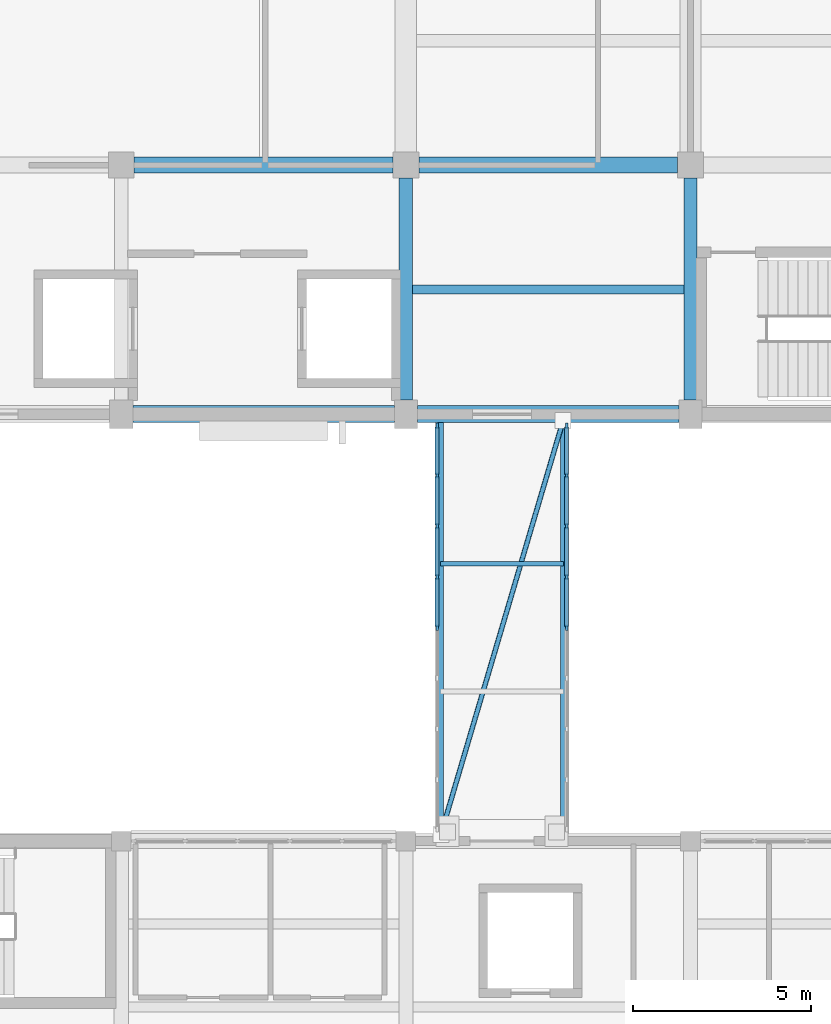
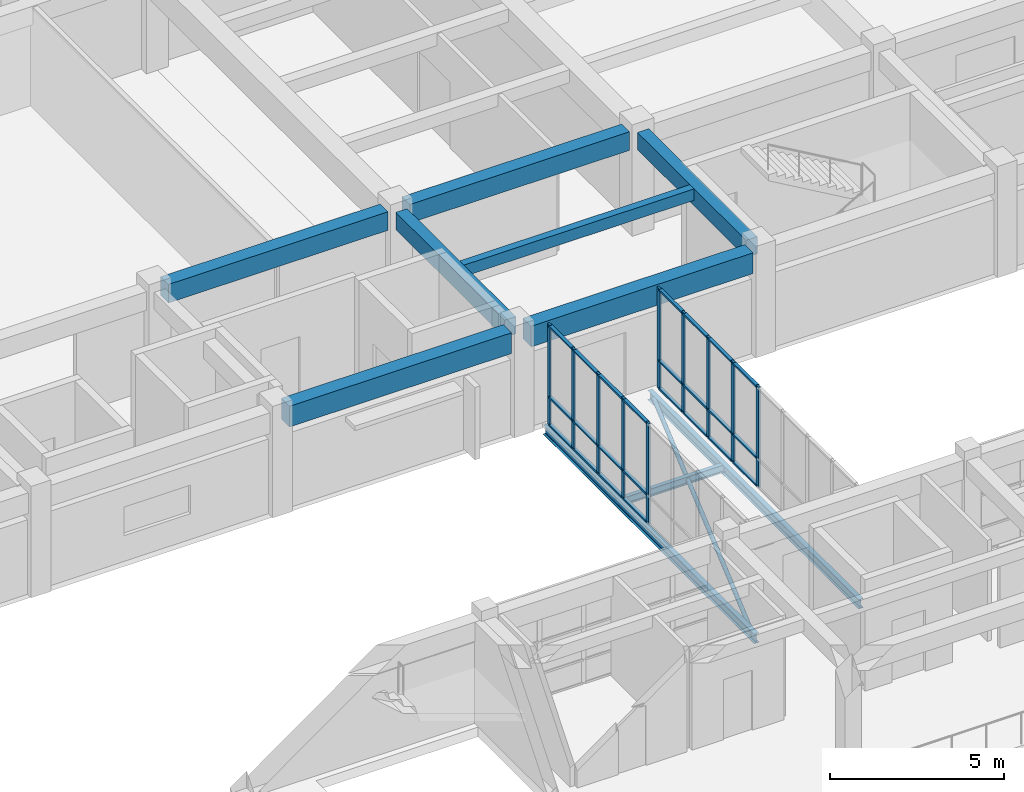
# One storey, part 24 of 66: 35 members, 10 beams, 2 elements without a shape of their own.
"""IFC4 building model written with IfcOpenShell, lengths in metres."""

from ifc_helpers import new_model, si_unit, direction, frame, origin, origin_2d, place, context, subcontext, project, spatial, rectangle, hollow_circle, i_section, extrude, material, layer, layer_set, material_profile, profile_set, type_object, element, aggregate, save


model = new_model("IFC4")

# Units and contexts
model_context = context("Model", 3, precision=1e-05, world=origin(), true_north=direction((0.0, 1.0)))
body_context = subcontext(model_context, "Body", "Model", "MODEL_VIEW")
ifc_project = project(units=[si_unit("LENGTHUNIT", "METRE"), si_unit("AREAUNIT", "SQUARE_METRE"), si_unit("VOLUMEUNIT", "CUBIC_METRE"), si_unit("PLANEANGLEUNIT", "RADIAN"), si_unit("MASSUNIT", "GRAM", prefix="KILO")], contexts=[model_context])

# Site, building, storey
site_placement = place(None, origin())
site = spatial("IfcSite", under=ifc_project, at=site_placement, CompositionType="ELEMENT")
building_placement = place(site_placement, origin())
building = spatial("IfcBuilding", under=site, at=building_placement, Name="Naurynzar Civic Courthouse", CompositionType="ELEMENT")
storey_placement = place(building_placement, frame((0.0, 0.0, 14.39990234375)))
storey = spatial("IfcBuildingStorey", under=building, at=storey_placement, Name="L04", CompositionType="ELEMENT", Elevation=14.39990234375)

# Beams
ifc_material_1 = material(Name="Concrete C40/50", Category="concrete")
ifc_material_profile_1 = material_profile(ifc_material_1, rectangle(XDim=0.25, YDim=0.39990234375, at=origin_2d()), Name="RCB 250x400")
ifc_profile_set_1 = profile_set([ifc_material_profile_1], Name="Concrete C40/50")
beam_type_1 = type_object("IfcBeamType", Name="BM-JST-250x400", PredefinedType="JOIST", material=ifc_profile_set_1)
beam_1_placement = place(storey_placement, frame((93.1875, 47.5, 3.380126953125), z_axis=(1.0, 0.0, 0.0), x_axis=(0.0, 1.0, 0.0)))
element("IfcBeam", 1, at=beam_1_placement, inside=storey, type_object=beam_type_1, Name="V2 secondary rib 714 L04", PredefinedType="JOIST", context=body_context, shape_type="SweptSolid", body=[
    extrude(rectangle(XDim=0.25, YDim=0.39990234375, at=origin_2d()), origin(), (0.0, 0.0, 1.0), 7.625),
])
ifc_material_2 = material(Name="Concrete C40/50", Category="concrete")
ifc_material_profile_2 = material_profile(ifc_material_2, rectangle(XDim=0.375, YDim=0.60009765625, at=origin_2d()), Name="RCB 375x600")
ifc_profile_set_2 = profile_set([ifc_material_profile_2], Name="Concrete C40/50")
beam_type_2 = type_object("IfcBeamType", Name="BM-RC-375x600", PredefinedType="BEAM", material=ifc_profile_set_2)
for number, where, z_axis, x_axis, name in (
    (2, (93.0, 44.39990234375, 3.280029296875), (0.0, 1.0, 0.0), (-1.0, 0.0, 0.0), "V2 girder Y-698 L04"),
    (3, (101.0, 44.39990234375, 3.280029296875), (0.0, 1.0, 0.0), (-1.0, 0.0, 0.0), "V2 girder Y-701 L04"),
):
    element("IfcBeam", number, at=place(storey_placement, frame(where, z_axis=z_axis, x_axis=x_axis)), inside=storey, type_object=beam_type_2, Name=name, PredefinedType="BEAM", context=body_context, shape_type="SweptSolid", body=[
        extrude(rectangle(XDim=0.375, YDim=0.60009765625, at=origin_2d()), origin(), (0.0, 0.0, 1.0), 6.237548828125),
    ])
ifc_material_3 = material(Name="Concrete C40/50", Category="concrete")
ifc_material_profile_3 = material_profile(ifc_material_3, rectangle(XDim=0.449951171875, YDim=0.64990234375, at=origin_2d()), Name="RCB 450x650")
ifc_profile_set_3 = profile_set([ifc_material_profile_3], Name="Concrete C40/50")
beam_type_3 = type_object("IfcBeamType", Name="BM-RC-450x650", PredefinedType="BEAM", material=ifc_profile_set_3)
for number, where, z_axis, x_axis, name in (
    (4, (85.362548828125, 51.0, 3.255126953125), (1.0, 0.0, 0.0), (0.0, 1.0, 0.0), "V2 beam X-666 L04"),
    (5, (93.362548828125, 51.0, 3.255126953125), (1.0, 0.0, 0.0), (0.0, 1.0, 0.0), "V2 beam X-667 L04"),
):
    element("IfcBeam", number, at=place(storey_placement, frame(where, z_axis=z_axis, x_axis=x_axis)), inside=storey, type_object=beam_type_3, Name=name, PredefinedType="BEAM", context=body_context, shape_type="SweptSolid", body=[
        extrude(rectangle(XDim=0.449951171875, YDim=0.64990234375, at=origin_2d()), origin(), (0.0, 0.0, 1.0), 7.27490234375),
    ])
ifc_material_4 = material(Name="Concrete C40/50", Category="concrete")
ifc_material_profile_4 = material_profile(ifc_material_4, rectangle(XDim=0.47509765625, YDim=0.72509765625, at=origin_2d()), Name="RCB 475x725")
ifc_profile_set_4 = profile_set([ifc_material_profile_4], Name="Concrete C40/50")
beam_type_4 = type_object("IfcBeamType", Name="BM-RC-475x725", PredefinedType="SPANDREL", material=ifc_profile_set_4)
for number, where, z_axis, x_axis, name in (
    (6, (85.324951171875, 44.0, 3.217529296875), (1.0, 0.0, 0.0), (0.0, 1.0, 0.0), "V2 beam X-658 L04"),
    (7, (93.324951171875, 44.0, 3.217529296875), (1.0, 0.0, 0.0), (0.0, 1.0, 0.0), "V2 beam X-659 L04"),
):
    element("IfcBeam", number, at=place(storey_placement, frame(where, z_axis=z_axis, x_axis=x_axis)), inside=storey, type_object=beam_type_4, Name=name, PredefinedType="SPANDREL", context=body_context, shape_type="SweptSolid", body=[
        extrude(rectangle(XDim=0.47509765625, YDim=0.72509765625, at=origin_2d()), origin(), (0.0, 0.0, 1.0), 7.35009765625),
    ])
ifc_material_5 = material(Name="Steel S355", Category="steel")
ifc_material_profile_5 = material_profile(ifc_material_5, i_section(OverallWidth=0.135009765625, OverallDepth=0.27001953125, WebThickness=0.006591796875, FlangeThickness=0.01025390625, FilletRadius=0.014892578125, at=origin_2d()), Name="IPE 270")
ifc_profile_set_5 = profile_set([ifc_material_profile_5], Name="Steel S355")
beam_type_5 = type_object("IfcBeamType", Name="BM-STL-IPE270", PredefinedType="BEAM", material=ifc_profile_set_5)
beam_2_placement = place(storey_placement, frame((93.969970703125, 39.7939453125, -0.375), z_axis=(1.0, 0.0, 0.0), x_axis=(0.0, 1.0, 0.0)))
element("IfcBeam", 8, at=beam_2_placement, inside=storey, type_object=beam_type_5, Name="BR-C1 deck cross-beam L04.2", PredefinedType="BEAM", context=body_context, shape_type="SweptSolid", body=[
    extrude(i_section(OverallWidth=0.135009765625, OverallDepth=0.27001953125, WebThickness=0.006591796875, FlangeThickness=0.01025390625, FilletRadius=0.014892578125, at=origin_2d()), origin(), (0.0, 0.0, 1.0), 3.4599609375),
])
ifc_material_6 = material(Name="Steel S355", Category="steel")
ifc_material_profile_6 = material_profile(ifc_material_6, i_section(OverallWidth=0.159912109375, OverallDepth=0.330078125, WebThickness=0.007568359375, FlangeThickness=0.011474609375, FilletRadius=0.01806640625, at=origin_2d()), Name="IPE 330")
ifc_profile_set_6 = profile_set([ifc_material_profile_6], Name="Steel S355")
beam_type_6 = type_object("IfcBeamType", Name="BM-STL-IPE330", PredefinedType="BEAM", material=ifc_profile_set_6)
for number, where, z_axis, x_axis, name in (
    (9, (93.969970703125, 31.949951171875, -0.40478515625), (0.0, 1.0, 0.0), (-1.0, 0.0, 0.0), "BR-C1 edge steel beam L04.1"),
    (10, (97.429931640625, 31.949951171875, -0.40478515625), (0.0, 1.0, 0.0), (-1.0, 0.0, 0.0), "BR-C1 edge steel beam L04.2"),
):
    element("IfcBeam", number, at=place(storey_placement, frame(where, z_axis=z_axis, x_axis=x_axis)), inside=storey, type_object=beam_type_6, Name=name, PredefinedType="BEAM", context=body_context, shape_type="SweptSolid", body=[
        extrude(i_section(OverallWidth=0.159912109375, OverallDepth=0.330078125, WebThickness=0.007568359375, FlangeThickness=0.011474609375, FilletRadius=0.01806640625, at=origin_2d()), origin(), (0.0, 0.0, 1.0), 12.10009765625),
    ])

# Curtain wall, members
ifc_material_7 = material(Name="Aluminium 6063-T6", Category="aluminium")
ifc_layer = layer(ifc_material_7, 0.14990234375)
ifc_layer_set = layer_set([ifc_layer], Name="CW-BRIDGE-1500")
curtain_wall_type = type_object("IfcCurtainWallType", Name="CW-BRIDGE-1500", PredefinedType="USERDEFINED", material=ifc_layer_set)
curtain_wall_1_placement = place(storey_placement, origin())
curtain_wall_1 = element("IfcCurtainWall", 11, at=curtain_wall_1_placement, inside=storey, type_object=curtain_wall_type, Name="BR-C1 glazed bridge screen L04.1", ObjectType="GLAZED BRIDGE SCREEN", PredefinedType="USERDEFINED")
ifc_material_8 = material(Name="Aluminium 6063-T6", Category="aluminium")
ifc_material_profile_7 = material_profile(ifc_material_8, rectangle(XDim=0.06005859375, YDim=0.14990234375, at=origin_2d()), Name="ALU MULLION 60x150")
ifc_profile_set_7 = profile_set([ifc_material_profile_7], Name="Aluminium 6063-T6")
member_type_1 = type_object("IfcMemberType", Name="CWM-60x150", PredefinedType="MULLION", material=ifc_profile_set_7)
member_1_placement = place(storey_placement, frame((93.8798828125, 43.669921875, 0.0), z_axis=(0.0, 0.0, 1.0), x_axis=(1.0, 0.0, 0.0)))
member_1 = element("IfcMember", 12, at=member_1_placement, type_object=member_type_1, Name="CW-03 mullion 1", PredefinedType="MULLION", context=body_context, shape_type="SweptSolid", body=[
    extrude(rectangle(XDim=0.06005859375, YDim=0.14990234375, at=origin_2d()), origin(), (0.0, 0.0, 1.0), 3.52001953125),
])
member_2_placement = place(storey_placement, frame((93.8798828125, 42.27490234375, 0.0), z_axis=(0.0, 0.0, 1.0), x_axis=(1.0, 0.0, 0.0)))
member_2 = element("IfcMember", 13, at=member_2_placement, type_object=member_type_1, Name="CW-03 mullion 2", PredefinedType="MULLION", context=body_context, shape_type="SweptSolid", body=[
    extrude(rectangle(XDim=0.06005859375, YDim=0.14990234375, at=origin_2d()), origin(), (0.0, 0.0, 1.0), 3.52001953125),
])
member_3_placement = place(storey_placement, frame((93.8798828125, 40.85009765625, 0.0), z_axis=(0.0, 0.0, 1.0), x_axis=(1.0, 0.0, 0.0)))
member_3 = element("IfcMember", 14, at=member_3_placement, type_object=member_type_1, Name="CW-03 mullion 3", PredefinedType="MULLION", context=body_context, shape_type="SweptSolid", body=[
    extrude(rectangle(XDim=0.06005859375, YDim=0.14990234375, at=origin_2d()), origin(), (0.0, 0.0, 1.0), 3.52001953125),
])
member_4_placement = place(storey_placement, frame((93.8798828125, 39.425048828125, 0.0), z_axis=(0.0, 0.0, 1.0), x_axis=(1.0, 0.0, 0.0)))
member_4 = element("IfcMember", 15, at=member_4_placement, type_object=member_type_1, Name="CW-03 mullion 4", PredefinedType="MULLION", context=body_context, shape_type="SweptSolid", body=[
    extrude(rectangle(XDim=0.06005859375, YDim=0.14990234375, at=origin_2d()), origin(), (0.0, 0.0, 1.0), 3.52001953125),
])
member_5_placement = place(storey_placement, frame((93.8798828125, 38.0, 0.0), z_axis=(0.0, 0.0, 1.0), x_axis=(1.0, 0.0, 0.0)))
member_5 = element("IfcMember", 16, at=member_5_placement, type_object=member_type_1, Name="CW-03 mullion 5", PredefinedType="MULLION", context=body_context, shape_type="SweptSolid", body=[
    extrude(rectangle(XDim=0.06005859375, YDim=0.14990234375, at=origin_2d()), origin(), (0.0, 0.0, 1.0), 3.52001953125),
])

curtain_wall_2_placement = place(storey_placement, origin())
curtain_wall_2 = element("IfcCurtainWall", 17, at=curtain_wall_2_placement, inside=storey, type_object=curtain_wall_type, Name="BR-C1 glazed bridge screen L04.2", ObjectType="GLAZED BRIDGE SCREEN", PredefinedType="USERDEFINED")
member_6_placement = place(storey_placement, frame((97.52001953125, 38.0, 0.0), z_axis=(0.0, 0.0, 1.0), x_axis=(-1.0, 0.0, 0.0)))
member_6 = element("IfcMember", 18, at=member_6_placement, type_object=member_type_1, Name="CW-03 mullion 5", PredefinedType="MULLION", context=body_context, shape_type="SweptSolid", body=[
    extrude(rectangle(XDim=0.06005859375, YDim=0.14990234375, at=origin_2d()), origin(), (0.0, 0.0, 1.0), 3.52001953125),
])
member_7_placement = place(storey_placement, frame((97.52001953125, 39.425048828125, 0.0), z_axis=(0.0, 0.0, 1.0), x_axis=(-1.0, 0.0, 0.0)))
member_7 = element("IfcMember", 19, at=member_7_placement, type_object=member_type_1, Name="CW-03 mullion 6", PredefinedType="MULLION", context=body_context, shape_type="SweptSolid", body=[
    extrude(rectangle(XDim=0.06005859375, YDim=0.14990234375, at=origin_2d()), origin(), (0.0, 0.0, 1.0), 3.52001953125),
])
member_8_placement = place(storey_placement, frame((97.52001953125, 40.85009765625, 0.0), z_axis=(0.0, 0.0, 1.0), x_axis=(-1.0, 0.0, 0.0)))
member_8 = element("IfcMember", 20, at=member_8_placement, type_object=member_type_1, Name="CW-03 mullion 7", PredefinedType="MULLION", context=body_context, shape_type="SweptSolid", body=[
    extrude(rectangle(XDim=0.06005859375, YDim=0.14990234375, at=origin_2d()), origin(), (0.0, 0.0, 1.0), 3.52001953125),
])
member_9_placement = place(storey_placement, frame((97.52001953125, 42.27490234375, 0.0), z_axis=(0.0, 0.0, 1.0), x_axis=(-1.0, 0.0, 0.0)))
member_9 = element("IfcMember", 21, at=member_9_placement, type_object=member_type_1, Name="CW-03 mullion 8", PredefinedType="MULLION", context=body_context, shape_type="SweptSolid", body=[
    extrude(rectangle(XDim=0.06005859375, YDim=0.14990234375, at=origin_2d()), origin(), (0.0, 0.0, 1.0), 3.52001953125),
])
member_10_placement = place(storey_placement, frame((97.52001953125, 43.669921875, 0.0), z_axis=(0.0, 0.0, 1.0), x_axis=(-1.0, 0.0, 0.0)))
member_10 = element("IfcMember", 22, at=member_10_placement, type_object=member_type_1, Name="CW-03 mullion 9", PredefinedType="MULLION", context=body_context, shape_type="SweptSolid", body=[
    extrude(rectangle(XDim=0.06005859375, YDim=0.14990234375, at=origin_2d()), origin(), (0.0, 0.0, 1.0), 3.52001953125),
])

# Member
ifc_material_9 = material(Name="Aluminium 6063-T6", Category="aluminium")
ifc_material_profile_8 = material_profile(ifc_material_9, rectangle(XDim=0.110107421875, YDim=0.06005859375, at=origin_2d()), Name="ALU TRANSOM 60x110")
ifc_profile_set_8 = profile_set([ifc_material_profile_8], Name="Aluminium 6063-T6")
member_type_2 = type_object("IfcMemberType", Name="CWT-60x110", PredefinedType="USERDEFINED", material=ifc_profile_set_8)
member_11_placement = place(storey_placement, frame((93.8798828125, 43.639892578125, 0.030029296875), z_axis=(0.0, -1.0, 0.0), x_axis=(1.0, 0.0, 0.0)))
member_11 = element("IfcMember", 23, at=member_11_placement, type_object=member_type_2, Name="CW-03 transom 1.1", ObjectType="TRANSOM", PredefinedType="USERDEFINED", context=body_context, shape_type="SweptSolid", body=[
    extrude(rectangle(XDim=0.110107421875, YDim=0.06005859375, at=origin_2d()), origin(), (0.0, 0.0, 1.0), 1.3349609375),
])

member_12_placement = place(storey_placement, frame((93.8798828125, 43.639892578125, 1.0), z_axis=(0.0, -1.0, 0.0), x_axis=(1.0, 0.0, 0.0)))
member_12 = element("IfcMember", 24, at=member_12_placement, type_object=member_type_2, Name="CW-03 transom 1.2", ObjectType="TRANSOM", PredefinedType="USERDEFINED", context=body_context, shape_type="SweptSolid", body=[
    extrude(rectangle(XDim=0.110107421875, YDim=0.06005859375, at=origin_2d()), origin(), (0.0, 0.0, 1.0), 1.3349609375),
])

member_13_placement = place(storey_placement, frame((93.8798828125, 43.639892578125, 3.489990234375), z_axis=(0.0, -1.0, 0.0), x_axis=(1.0, 0.0, 0.0)))
member_13 = element("IfcMember", 25, at=member_13_placement, type_object=member_type_2, Name="CW-03 transom 1.3", ObjectType="TRANSOM", PredefinedType="USERDEFINED", context=body_context, shape_type="SweptSolid", body=[
    extrude(rectangle(XDim=0.110107421875, YDim=0.06005859375, at=origin_2d()), origin(), (0.0, 0.0, 1.0), 1.3349609375),
])

member_14_placement = place(storey_placement, frame((93.8798828125, 42.2451171875, 0.030029296875), z_axis=(0.0, -1.0, 0.0), x_axis=(1.0, 0.0, 0.0)))
member_14 = element("IfcMember", 26, at=member_14_placement, type_object=member_type_2, Name="CW-03 transom 2.1", ObjectType="TRANSOM", PredefinedType="USERDEFINED", context=body_context, shape_type="SweptSolid", body=[
    extrude(rectangle(XDim=0.110107421875, YDim=0.06005859375, at=origin_2d()), origin(), (0.0, 0.0, 1.0), 1.365234375),
])

member_15_placement = place(storey_placement, frame((93.8798828125, 42.2451171875, 1.0), z_axis=(0.0, -1.0, 0.0), x_axis=(1.0, 0.0, 0.0)))
member_15 = element("IfcMember", 27, at=member_15_placement, type_object=member_type_2, Name="CW-03 transom 2.2", ObjectType="TRANSOM", PredefinedType="USERDEFINED", context=body_context, shape_type="SweptSolid", body=[
    extrude(rectangle(XDim=0.110107421875, YDim=0.06005859375, at=origin_2d()), origin(), (0.0, 0.0, 1.0), 1.365234375),
])

member_16_placement = place(storey_placement, frame((93.8798828125, 42.2451171875, 3.489990234375), z_axis=(0.0, -1.0, 0.0), x_axis=(1.0, 0.0, 0.0)))
member_16 = element("IfcMember", 28, at=member_16_placement, type_object=member_type_2, Name="CW-03 transom 2.3", ObjectType="TRANSOM", PredefinedType="USERDEFINED", context=body_context, shape_type="SweptSolid", body=[
    extrude(rectangle(XDim=0.110107421875, YDim=0.06005859375, at=origin_2d()), origin(), (0.0, 0.0, 1.0), 1.365234375),
])

member_17_placement = place(storey_placement, frame((93.8798828125, 40.820068359375, 0.030029296875), z_axis=(0.0, -1.0, 0.0), x_axis=(1.0, 0.0, 0.0)))
member_17 = element("IfcMember", 29, at=member_17_placement, type_object=member_type_2, Name="CW-03 transom 3.1", ObjectType="TRANSOM", PredefinedType="USERDEFINED", context=body_context, shape_type="SweptSolid", body=[
    extrude(rectangle(XDim=0.110107421875, YDim=0.06005859375, at=origin_2d()), origin(), (0.0, 0.0, 1.0), 1.364990234375),
])

member_18_placement = place(storey_placement, frame((93.8798828125, 40.820068359375, 1.0), z_axis=(0.0, -1.0, 0.0), x_axis=(1.0, 0.0, 0.0)))
member_18 = element("IfcMember", 30, at=member_18_placement, type_object=member_type_2, Name="CW-03 transom 3.2", ObjectType="TRANSOM", PredefinedType="USERDEFINED", context=body_context, shape_type="SweptSolid", body=[
    extrude(rectangle(XDim=0.110107421875, YDim=0.06005859375, at=origin_2d()), origin(), (0.0, 0.0, 1.0), 1.364990234375),
])

member_19_placement = place(storey_placement, frame((93.8798828125, 40.820068359375, 3.489990234375), z_axis=(0.0, -1.0, 0.0), x_axis=(1.0, 0.0, 0.0)))
member_19 = element("IfcMember", 31, at=member_19_placement, type_object=member_type_2, Name="CW-03 transom 3.3", ObjectType="TRANSOM", PredefinedType="USERDEFINED", context=body_context, shape_type="SweptSolid", body=[
    extrude(rectangle(XDim=0.110107421875, YDim=0.06005859375, at=origin_2d()), origin(), (0.0, 0.0, 1.0), 1.364990234375),
])

member_20_placement = place(storey_placement, frame((93.8798828125, 39.39501953125, 0.030029296875), z_axis=(0.0, -1.0, 0.0), x_axis=(1.0, 0.0, 0.0)))
member_20 = element("IfcMember", 32, at=member_20_placement, type_object=member_type_2, Name="CW-03 transom 4.1", ObjectType="TRANSOM", PredefinedType="USERDEFINED", context=body_context, shape_type="SweptSolid", body=[
    extrude(rectangle(XDim=0.110107421875, YDim=0.06005859375, at=origin_2d()), origin(), (0.0, 0.0, 1.0), 1.364990234375),
])

member_21_placement = place(storey_placement, frame((93.8798828125, 39.39501953125, 1.0), z_axis=(0.0, -1.0, 0.0), x_axis=(1.0, 0.0, 0.0)))
member_21 = element("IfcMember", 33, at=member_21_placement, type_object=member_type_2, Name="CW-03 transom 4.2", ObjectType="TRANSOM", PredefinedType="USERDEFINED", context=body_context, shape_type="SweptSolid", body=[
    extrude(rectangle(XDim=0.110107421875, YDim=0.06005859375, at=origin_2d()), origin(), (0.0, 0.0, 1.0), 1.364990234375),
])

member_22_placement = place(storey_placement, frame((93.8798828125, 39.39501953125, 3.489990234375), z_axis=(0.0, -1.0, 0.0), x_axis=(1.0, 0.0, 0.0)))
member_22 = element("IfcMember", 34, at=member_22_placement, type_object=member_type_2, Name="CW-03 transom 4.3", ObjectType="TRANSOM", PredefinedType="USERDEFINED", context=body_context, shape_type="SweptSolid", body=[
    extrude(rectangle(XDim=0.110107421875, YDim=0.06005859375, at=origin_2d()), origin(), (0.0, 0.0, 1.0), 1.364990234375),
])

aggregate(curtain_wall_1, [member_1, member_2, member_3, member_4, member_5, member_11, member_12, member_13, member_14, member_15, member_16, member_17, member_18, member_19, member_20, member_21, member_22])

member_23_placement = place(storey_placement, frame((97.52001953125, 38.030029296875, 0.030029296875), z_axis=(0.0, 1.0, 0.0), x_axis=(-1.0, 0.0, 0.0)))
member_23 = element("IfcMember", 35, at=member_23_placement, type_object=member_type_2, Name="CW-03 transom 5.1", ObjectType="TRANSOM", PredefinedType="USERDEFINED", context=body_context, shape_type="SweptSolid", body=[
    extrude(rectangle(XDim=0.110107421875, YDim=0.06005859375, at=origin_2d()), origin(), (0.0, 0.0, 1.0), 1.364990234375),
])

member_24_placement = place(storey_placement, frame((97.52001953125, 38.030029296875, 1.0), z_axis=(0.0, 1.0, 0.0), x_axis=(-1.0, 0.0, 0.0)))
member_24 = element("IfcMember", 36, at=member_24_placement, type_object=member_type_2, Name="CW-03 transom 5.2", ObjectType="TRANSOM", PredefinedType="USERDEFINED", context=body_context, shape_type="SweptSolid", body=[
    extrude(rectangle(XDim=0.110107421875, YDim=0.06005859375, at=origin_2d()), origin(), (0.0, 0.0, 1.0), 1.364990234375),
])

member_25_placement = place(storey_placement, frame((97.52001953125, 38.030029296875, 3.489990234375), z_axis=(0.0, 1.0, 0.0), x_axis=(-1.0, 0.0, 0.0)))
member_25 = element("IfcMember", 37, at=member_25_placement, type_object=member_type_2, Name="CW-03 transom 5.3", ObjectType="TRANSOM", PredefinedType="USERDEFINED", context=body_context, shape_type="SweptSolid", body=[
    extrude(rectangle(XDim=0.110107421875, YDim=0.06005859375, at=origin_2d()), origin(), (0.0, 0.0, 1.0), 1.364990234375),
])

member_26_placement = place(storey_placement, frame((97.52001953125, 39.455078125, 0.030029296875), z_axis=(0.0, 1.0, 0.0), x_axis=(-1.0, 0.0, 0.0)))
member_26 = element("IfcMember", 38, at=member_26_placement, type_object=member_type_2, Name="CW-03 transom 6.1", ObjectType="TRANSOM", PredefinedType="USERDEFINED", context=body_context, shape_type="SweptSolid", body=[
    extrude(rectangle(XDim=0.110107421875, YDim=0.06005859375, at=origin_2d()), origin(), (0.0, 0.0, 1.0), 1.364990234375),
])

member_27_placement = place(storey_placement, frame((97.52001953125, 39.455078125, 1.0), z_axis=(0.0, 1.0, 0.0), x_axis=(-1.0, 0.0, 0.0)))
member_27 = element("IfcMember", 39, at=member_27_placement, type_object=member_type_2, Name="CW-03 transom 6.2", ObjectType="TRANSOM", PredefinedType="USERDEFINED", context=body_context, shape_type="SweptSolid", body=[
    extrude(rectangle(XDim=0.110107421875, YDim=0.06005859375, at=origin_2d()), origin(), (0.0, 0.0, 1.0), 1.364990234375),
])

member_28_placement = place(storey_placement, frame((97.52001953125, 39.455078125, 3.489990234375), z_axis=(0.0, 1.0, 0.0), x_axis=(-1.0, 0.0, 0.0)))
member_28 = element("IfcMember", 40, at=member_28_placement, type_object=member_type_2, Name="CW-03 transom 6.3", ObjectType="TRANSOM", PredefinedType="USERDEFINED", context=body_context, shape_type="SweptSolid", body=[
    extrude(rectangle(XDim=0.110107421875, YDim=0.06005859375, at=origin_2d()), origin(), (0.0, 0.0, 1.0), 1.364990234375),
])

member_29_placement = place(storey_placement, frame((97.52001953125, 40.8798828125, 0.030029296875), z_axis=(0.0, 1.0, 0.0), x_axis=(-1.0, 0.0, 0.0)))
member_29 = element("IfcMember", 41, at=member_29_placement, type_object=member_type_2, Name="CW-03 transom 7.1", ObjectType="TRANSOM", PredefinedType="USERDEFINED", context=body_context, shape_type="SweptSolid", body=[
    extrude(rectangle(XDim=0.110107421875, YDim=0.06005859375, at=origin_2d()), origin(), (0.0, 0.0, 1.0), 1.365234375),
])

member_30_placement = place(storey_placement, frame((97.52001953125, 40.8798828125, 1.0), z_axis=(0.0, 1.0, 0.0), x_axis=(-1.0, 0.0, 0.0)))
member_30 = element("IfcMember", 42, at=member_30_placement, type_object=member_type_2, Name="CW-03 transom 7.2", ObjectType="TRANSOM", PredefinedType="USERDEFINED", context=body_context, shape_type="SweptSolid", body=[
    extrude(rectangle(XDim=0.110107421875, YDim=0.06005859375, at=origin_2d()), origin(), (0.0, 0.0, 1.0), 1.365234375),
])

member_31_placement = place(storey_placement, frame((97.52001953125, 40.8798828125, 3.489990234375), z_axis=(0.0, 1.0, 0.0), x_axis=(-1.0, 0.0, 0.0)))
member_31 = element("IfcMember", 43, at=member_31_placement, type_object=member_type_2, Name="CW-03 transom 7.3", ObjectType="TRANSOM", PredefinedType="USERDEFINED", context=body_context, shape_type="SweptSolid", body=[
    extrude(rectangle(XDim=0.110107421875, YDim=0.06005859375, at=origin_2d()), origin(), (0.0, 0.0, 1.0), 1.365234375),
])

member_32_placement = place(storey_placement, frame((97.52001953125, 42.304931640625, 0.030029296875), z_axis=(0.0, 1.0, 0.0), x_axis=(-1.0, 0.0, 0.0)))
member_32 = element("IfcMember", 44, at=member_32_placement, type_object=member_type_2, Name="CW-03 transom 8.1", ObjectType="TRANSOM", PredefinedType="USERDEFINED", context=body_context, shape_type="SweptSolid", body=[
    extrude(rectangle(XDim=0.110107421875, YDim=0.06005859375, at=origin_2d()), origin(), (0.0, 0.0, 1.0), 1.3349609375),
])

member_33_placement = place(storey_placement, frame((97.52001953125, 42.304931640625, 1.0), z_axis=(0.0, 1.0, 0.0), x_axis=(-1.0, 0.0, 0.0)))
member_33 = element("IfcMember", 45, at=member_33_placement, type_object=member_type_2, Name="CW-03 transom 8.2", ObjectType="TRANSOM", PredefinedType="USERDEFINED", context=body_context, shape_type="SweptSolid", body=[
    extrude(rectangle(XDim=0.110107421875, YDim=0.06005859375, at=origin_2d()), origin(), (0.0, 0.0, 1.0), 1.3349609375),
])

member_34_placement = place(storey_placement, frame((97.52001953125, 42.304931640625, 3.489990234375), z_axis=(0.0, 1.0, 0.0), x_axis=(-1.0, 0.0, 0.0)))
member_34 = element("IfcMember", 46, at=member_34_placement, type_object=member_type_2, Name="CW-03 transom 8.3", ObjectType="TRANSOM", PredefinedType="USERDEFINED", context=body_context, shape_type="SweptSolid", body=[
    extrude(rectangle(XDim=0.110107421875, YDim=0.06005859375, at=origin_2d()), origin(), (0.0, 0.0, 1.0), 1.3349609375),
])

aggregate(curtain_wall_2, [member_6, member_7, member_8, member_9, member_10, member_23, member_24, member_25, member_26, member_27, member_28, member_29, member_30, member_31, member_32, member_33, member_34])

ifc_material_10 = material(Name="Steel S355", Category="steel")
ifc_material_profile_9 = material_profile(ifc_material_10, hollow_circle(Radius=0.06982421875, WallThickness=0.008056640625, at=origin_2d()), Name="CHS 139.7x8")
ifc_profile_set_9 = profile_set([ifc_material_profile_9], Name="Steel S355")
member_type_3 = type_object("IfcMemberType", Name="MEM-BRACE-CHS139", PredefinedType="BRACE", material=ifc_profile_set_9)
member_35_placement = place(storey_placement, frame((93.97998046875, 32.179931640625, -0.40478515625), z_axis=(0.283407524243, 0.95899956997, 0.0), x_axis=(-0.95899956997, 0.283407524243, 0.0)))
element("IfcMember", 47, at=member_35_placement, inside=storey, type_object=member_type_3, Name="BR-C1 wind brace L04.1", PredefinedType="BRACE", context=body_context, shape_type="SweptSolid", body=[
    extrude(hollow_circle(Radius=0.06982421875, WallThickness=0.008056640625, at=origin_2d()), origin(), (0.0, 0.0, 1.0), 12.1376953125),
])

save(model, "model.ifc")
